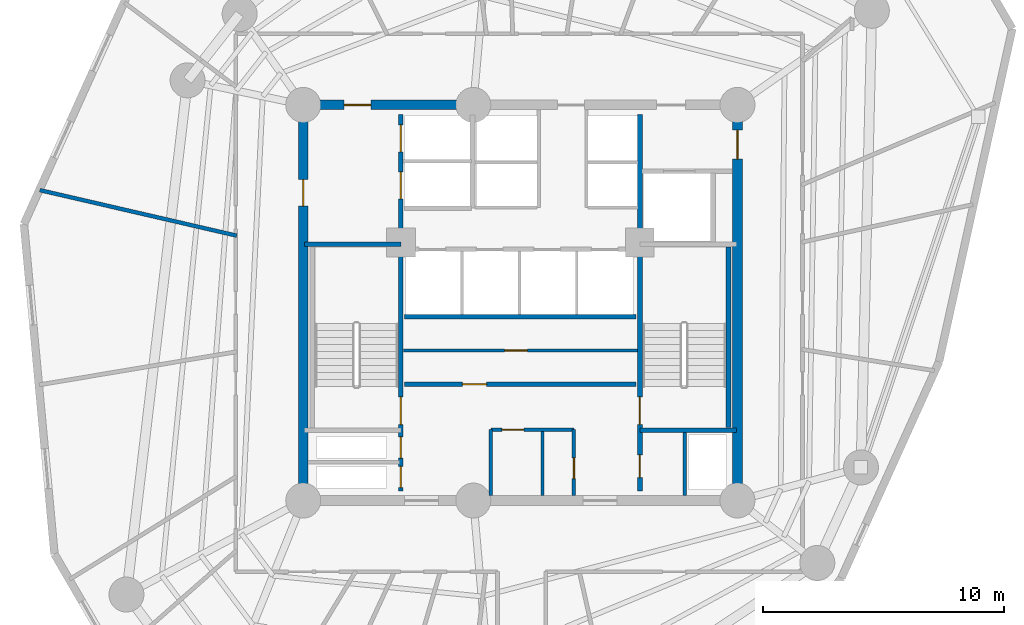
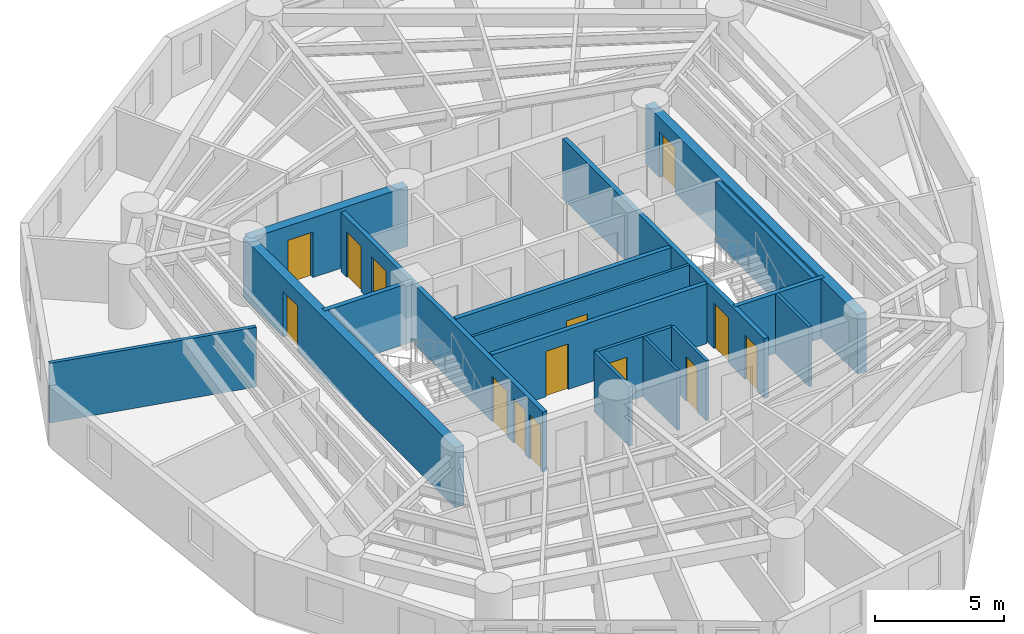
# One storey, part 4 of 8: 17 walls, 14 doors, 14 openings.
"""IFC4 building model written with IfcOpenShell, lengths in metres."""

from ifc_helpers import new_model, si_unit, direction, frame, frame_2d, origin, origin_with_axes, place, context, subcontext, project, spatial, rectangle, extrude, source, transform, mapped, material, layer, layer_set, type_object, element, fill, save


model = new_model("IFC4")

# Units and contexts
model_context = context("Model", 3, precision=1e-05, world=origin(), true_north=direction((0.0, 1.0)))
body_context = subcontext(model_context, "Body", "Model", "MODEL_VIEW")
ifc_project = project(units=[si_unit("LENGTHUNIT", "METRE"), si_unit("AREAUNIT", "SQUARE_METRE"), si_unit("VOLUMEUNIT", "CUBIC_METRE"), si_unit("PLANEANGLEUNIT", "RADIAN"), si_unit("MASSUNIT", "GRAM", prefix="KILO")], contexts=[model_context])

# Site, building, storey
site_placement = place(None, origin())
site = spatial("IfcSite", under=ifc_project, at=site_placement, CompositionType="ELEMENT")
building_placement = place(site_placement, origin())
building = spatial("IfcBuilding", under=site, at=building_placement, Name="Karkom Vertical University and Central Library", CompositionType="ELEMENT")
storey_placement = place(building_placement, frame((0.0, 0.0, 126.699951171875)))
storey = spatial("IfcBuildingStorey", under=building, at=storey_placement, Name="L35", CompositionType="ELEMENT", Elevation=126.699951171875)

# Walls
ifc_material_1 = material(Name="Insulated metal-stud drywall 160mm", Category="gypsum")
ifc_layer_1 = layer(ifc_material_1, 0.159912109375)
ifc_layer_set_1 = layer_set([ifc_layer_1], Name="Insulated metal-stud drywall 160mm")
wall_type_1 = type_object("IfcWallType", Name="INT-WL-COR-160", PredefinedType="PARTITIONING", material=ifc_layer_set_1)
wall_1_placement = place(storey_placement, frame((16.743896484375, 29.27978515625, 0.0), z_axis=(0.0, 0.0, 1.0), x_axis=(-0.974294823212, 0.225276713094, 0.0)))
element("IfcWall", 1, at=wall_1_placement, inside=storey, type_object=wall_type_1, Name="Level 35 Interior Partition Wall L35-PW-025", PredefinedType="PARTITIONING", context=body_context, shape_type="SweptSolid", body=[
    extrude(rectangle(XDim=8.376220703125, YDim=0.159912109375, at=frame_2d((4.18798828125, 0.0))), origin(), (0.0, 0.0, 1.0), 2.824951171875),
])
ifc_material_2 = material(Name="Moisture-resistant drywall 120mm", Category="gypsum")
ifc_layer_2 = layer(ifc_material_2, 0.1201171875)
ifc_layer_set_2 = layer_set([ifc_layer_2], Name="Moisture-resistant drywall 120mm")
wall_type_2 = type_object("IfcWallType", Name="INT-WL-INT-120", PredefinedType="PARTITIONING", material=ifc_layer_set_2)
wall_2_placement = place(storey_placement, frame((29.419921875, 18.507080078125, 0.0), z_axis=(0.0, 0.0, 1.0), x_axis=(0.0, 1.0, 0.0)))
element("IfcWall", 2, at=wall_2_placement, inside=storey, type_object=wall_type_2, Name="Level 35 Interior Partition Wall L35-CW-K3-DIV", PredefinedType="PARTITIONING", context=body_context, shape_type="SweptSolid", body=[
    extrude(rectangle(XDim=2.66162109375, YDim=0.1201171875, at=frame_2d((1.330810546875, 0.0))), origin(), (0.0, 0.0, 1.0), 2.824951171875),
])

# Wall, opening, door
ifc_layer_3 = layer(ifc_material_2, 0.1201171875)
ifc_layer_set_3 = layer_set([ifc_layer_3], Name="Moisture-resistant drywall 120mm")
wall_type_3 = type_object("IfcWallType", Name="INT-WL-INT-120F", PredefinedType="PARTITIONING", material=ifc_layer_set_3)
wall_3_placement = place(storey_placement, frame((23.652099609375, 24.52001953125, 0.0), z_axis=(0.0, 0.0, 1.0), x_axis=(1.0, 0.0, 0.0)))
wall_3 = element("IfcWall", 3, at=wall_3_placement, inside=storey, type_object=wall_type_3, Name="Level 35 Interior Partition Wall L35-CW-B1-K3H", PredefinedType="PARTITIONING", context=body_context, shape_type="SweptSolid", body=[
    extrude(rectangle(XDim=9.697509765625, YDim=0.1201171875, at=frame_2d((4.8486328125, 0.0))), origin(), (0.0, 0.0, 1.0), 2.824951171875),
])
opening_1_placement = place(wall_3_placement, frame((4.199951171875, 0.0, 0.0)))
opening_1 = element("IfcOpeningElement", 4, at=opening_1_placement, cuts=wall_3, Name="Opening D-WC1", PredefinedType="OPENING", context=body_context, shape_type="SweptSolid", body=[
    extrude(rectangle(XDim=0.93994140625, YDim=2.10009765625, at=frame_2d((0.469970703125, 1.050048828125))), frame((0.0, 0.070068359375, 0.0), z_axis=(0.0, -1.0, 0.0), x_axis=(1.0, 0.0, 0.0)), (0.0, 0.0, 1.0), 0.14013671875),
])
ifc_material_3 = material(Name="Fire-rated laminate moisture-resistant door", Category="wood")
door_type_1 = type_object("IfcDoorType", Name="INT-DR-WC1", OperationType="NOTDEFINED", PredefinedType="DOOR", material=ifc_material_3)
shared_shape_1 = source(origin_with_axes(), body_context, "Body", "SweptSolid", [
    extrude(rectangle(XDim=0.93994140625, YDim=2.10009765625, at=frame_2d((0.469970703125, 1.050048828125))), frame((0.0, 0.02490234375, 0.0), z_axis=(0.0, -1.0, 0.0), x_axis=(1.0, 0.0, 0.0)), (0.0, 0.0, 1.0), 0.050048828125),
])
door_1_placement = place(opening_1_placement, origin())
door_1 = element("IfcDoor", 5, at=door_1_placement, inside=storey, type_object=door_type_1, Name="Level 35 B1 Core WC Strip Door", OperationType="SINGLE_SWING_LEFT", OverallHeight=2.10009765625, OverallWidth=0.93994140625, PredefinedType="DOOR", context=body_context, shape_type="MappedRepresentation", body=[
    mapped(shared_shape_1, transform((0.0, 0.0, 0.0), scale=1.0)),
])
fill(opening_1, door_1)

ifc_material_4 = material(Name="Metal-stud gypsum partition 140mm", Category="gypsum")
ifc_layer_4 = layer(ifc_material_4, 0.139892578125)
ifc_layer_set_4 = layer_set([ifc_layer_4], Name="Metal-stud gypsum partition 140mm")
wall_type_4 = type_object("IfcWallType", Name="INT-WL-SUB-140", PredefinedType="PARTITIONING", material=ifc_layer_set_4)
wall_4_placement = place(storey_placement, frame((27.280029296875, 21.239990234375, 0.0), z_axis=(0.0, 0.0, 1.0), x_axis=(1.0, 0.0, 0.0)))
wall_4 = element("IfcWall", 6, at=wall_4_placement, inside=storey, type_object=wall_type_4, Name="Level 35 Interior Partition Wall L35-CW-KBAY-N", PredefinedType="PARTITIONING", context=body_context, shape_type="SweptSolid", body=[
    extrude(rectangle(XDim=3.43994140625, YDim=0.139892578125, at=frame_2d((1.719970703125, 0.0))), origin(), (0.0, 0.0, 1.0), 2.824951171875),
])
opening_2_placement = place(wall_4_placement, frame((0.449951171875, 0.0, 0.0)))
opening_2 = element("IfcOpeningElement", 7, at=opening_2_placement, cuts=wall_4, Name="Opening D-SVC1", PredefinedType="OPENING", context=body_context, shape_type="SweptSolid", body=[
    extrude(rectangle(XDim=0.919921875, YDim=2.10009765625, at=frame_2d((0.4599609375, 1.050048828125))), frame((0.0, 0.080078125, 0.0), z_axis=(0.0, -1.0, 0.0), x_axis=(1.0, 0.0, 0.0)), (0.0, 0.0, 1.0), 0.159912109375),
])
ifc_material_5 = material(Name="Painted timber service door", Category="wood")
door_type_2 = type_object("IfcDoorType", Name="INT-DR-SVC1", OperationType="NOTDEFINED", PredefinedType="DOOR", material=ifc_material_5)
shared_shape_2 = source(origin_with_axes(), body_context, "Body", "SweptSolid", [
    extrude(rectangle(XDim=0.919921875, YDim=2.10009765625, at=frame_2d((0.4599609375, 1.050048828125))), frame((0.0, 0.02490234375, 0.0), z_axis=(0.0, -1.0, 0.0), x_axis=(1.0, 0.0, 0.0)), (0.0, 0.0, 1.0), 0.050048828125),
])
door_2_placement = place(opening_2_placement, origin())
door_2 = element("IfcDoor", 8, at=door_2_placement, inside=storey, type_object=door_type_2, Name="Level 35 Copy Room Door", OperationType="SINGLE_SWING_RIGHT", OverallHeight=2.10009765625, OverallWidth=0.919921875, PredefinedType="DOOR", context=body_context, shape_type="MappedRepresentation", body=[
    mapped(shared_shape_2, transform((0.0, 0.0, 0.0), scale=1.0)),
])
fill(opening_2, door_2)

# Wall
wall_5_placement = place(storey_placement, frame((27.280029296875, 18.507080078125, 0.0), z_axis=(0.0, 0.0, 1.0), x_axis=(0.0, 1.0, 0.0)))
element("IfcWall", 9, at=wall_5_placement, inside=storey, type_object=wall_type_4, Name="Level 35 Interior Partition Wall L35-CW-KBAY-W", PredefinedType="PARTITIONING", context=body_context, shape_type="SweptSolid", body=[
    extrude(rectangle(XDim=2.73291015625, YDim=0.139892578125, at=frame_2d((1.366455078125, 0.0))), origin(), (0.0, 0.0, 1.0), 2.824951171875),
])

# Wall, opening, door
wall_6_placement = place(storey_placement, frame((30.719970703125, 18.507080078125, 0.0), z_axis=(0.0, 0.0, 1.0), x_axis=(0.0, 1.0, 0.0)))
wall_6 = element("IfcWall", 10, at=wall_6_placement, inside=storey, type_object=wall_type_4, Name="Level 35 Interior Partition Wall L35-CW-KBAY-E", PredefinedType="PARTITIONING", context=body_context, shape_type="SweptSolid", body=[
    extrude(rectangle(XDim=2.73291015625, YDim=0.139892578125, at=frame_2d((1.366455078125, 0.0))), origin(), (0.0, 0.0, 1.0), 2.824951171875),
])
opening_3_placement = place(wall_6_placement, frame((0.699951171875, 0.0, 0.0)))
opening_3 = element("IfcOpeningElement", 11, at=opening_3_placement, cuts=wall_6, Name="Opening D-BATH", PredefinedType="OPENING", context=body_context, shape_type="SweptSolid", body=[
    extrude(rectangle(XDim=0.860107421875, YDim=2.10009765625, at=frame_2d((0.43017578125, 1.050048828125))), frame((0.0, 0.080078125, 0.0), z_axis=(0.0, -1.0, 0.0), x_axis=(1.0, 0.0, 0.0)), (0.0, 0.0, 1.0), 0.159912109375),
])
ifc_material_6 = material(Name="Moisture-resistant oak door", Category="wood")
door_type_3 = type_object("IfcDoorType", Name="INT-DR-BATH", OperationType="NOTDEFINED", PredefinedType="DOOR", material=ifc_material_6)
shared_shape_3 = source(origin_with_axes(), body_context, "Body", "SweptSolid", [
    extrude(rectangle(XDim=0.860107421875, YDim=2.10009765625, at=frame_2d((0.43017578125, 1.050048828125))), frame((0.0, 0.02490234375, 0.0), z_axis=(0.0, -1.0, 0.0), x_axis=(1.0, 0.0, 0.0)), (0.0, 0.0, 1.0), 0.050048828125),
])
door_3_placement = place(opening_3_placement, origin())
door_3 = element("IfcDoor", 12, at=door_3_placement, inside=storey, type_object=door_type_3, Name="Level 35 Janitor Door", OperationType="SINGLE_SWING_LEFT", OverallHeight=2.10009765625, OverallWidth=0.860107421875, PredefinedType="DOOR", context=body_context, shape_type="MappedRepresentation", body=[
    mapped(shared_shape_3, transform((0.0, 0.0, 0.0), scale=1.0)),
])
fill(opening_3, door_3)

# Wall
ifc_layer_5 = layer(ifc_material_4, 0.139892578125)
ifc_layer_set_5 = layer_set([ifc_layer_5], Name="Metal-stud gypsum partition 140mm")
wall_type_5 = type_object("IfcWallType", Name="INT-WL-SUB-140H", PredefinedType="PARTITIONING", material=ifc_layer_set_5)
wall_7_placement = place(storey_placement, frame((35.320068359375, 18.507080078125, 0.0), z_axis=(0.0, 0.0, 1.0), x_axis=(0.0, 1.0, 0.0)))
element("IfcWall", 13, at=wall_7_placement, inside=storey, type_object=wall_type_5, Name="Level 35 Interior Partition Wall L35-CW-RIS-E", PredefinedType="PARTITIONING", context=body_context, shape_type="SweptSolid", body=[
    extrude(rectangle(XDim=2.603759765625, YDim=0.139892578125, at=frame_2d((1.3017578125, 0.0))), origin(), (0.0, 0.0, 1.0), 2.824951171875),
])

# Wall, opening, door
ifc_material_7 = material(Name="Concrete C50/60", Category="concrete")
ifc_layer_6 = layer(ifc_material_7, 0.39990234375)
ifc_layer_set_6 = layer_set([ifc_layer_6], Name="Concrete C50/60")
wall_type_6 = type_object("IfcWallType", Name="STR-WL-CW-400", PredefinedType="SHEAR", material=ifc_layer_set_6)
wall_8_placement = place(storey_placement, frame((37.5, 18.300048828125, 0.0), z_axis=(0.0, 0.0, 1.0), x_axis=(0.0, 1.0, 0.0)))
wall_8 = element("IfcWall", 14, at=wall_8_placement, inside=storey, type_object=wall_type_6, Name="Level 35 Central Core Shear Wall EW", PredefinedType="SHEAR", context=body_context, shape_type="SweptSolid", body=[
    extrude(rectangle(XDim=16.39990234375, YDim=0.39990234375, at=frame_2d((8.199951171875, 0.0))), origin(), (0.0, 0.0, 1.0), 2.824951171875),
])
opening_4_placement = place(wall_8_placement, frame((14.14990234375, 0.0, 0.0)))
opening_4 = element("IfcOpeningElement", 15, at=opening_4_placement, cuts=wall_8, Name="Opening FD-SUB1", PredefinedType="OPENING", context=body_context, shape_type="SweptSolid", body=[
    extrude(rectangle(XDim=1.199951171875, YDim=2.14990234375, at=frame_2d((0.60009765625, 1.074951171875))), frame((0.0, 0.2099609375, 0.0), z_axis=(0.0, -1.0, 0.0), x_axis=(1.0, 0.0, 0.0)), (0.0, 0.0, 1.0), 0.419921875),
])
ifc_material_8 = material(Name="Painted steel fire door", Category="steel")
door_type_4 = type_object("IfcDoorType", Name="INT-DR-SUB1", OperationType="NOTDEFINED", PredefinedType="DOOR", material=ifc_material_8)
shared_shape_4 = source(origin_with_axes(), body_context, "Body", "SweptSolid", [
    extrude(rectangle(XDim=1.199951171875, YDim=2.14990234375, at=frame_2d((0.60009765625, 1.074951171875))), frame((0.0, 0.02490234375, 0.0), z_axis=(0.0, -1.0, 0.0), x_axis=(1.0, 0.0, 0.0)), (0.0, 0.0, 1.0), 0.050048828125),
])
door_4_placement = place(opening_4_placement, origin())
door_4 = element("IfcDoor", 16, at=door_4_placement, inside=storey, type_object=door_type_4, Name="Level 35 East Corridor Service Lobby Door", OperationType="SINGLE_SWING_LEFT", OverallHeight=2.14990234375, OverallWidth=1.199951171875, PredefinedType="DOOR", context=body_context, shape_type="MappedRepresentation", body=[
    mapped(shared_shape_4, transform((0.0, 0.0, 0.0), scale=1.0)),
])
fill(opening_4, door_4)

wall_9_placement = place(storey_placement, frame((26.550048828125, 34.699951171875, 0.0), z_axis=(0.0, 0.0, 1.0), x_axis=(-1.0, 0.0, 0.0)))
wall_9 = element("IfcWall", 17, at=wall_9_placement, inside=storey, type_object=wall_type_6, Name="Level 35 Central Core Shear Wall NW2", PredefinedType="SHEAR", context=body_context, shape_type="SweptSolid", body=[
    extrude(rectangle(XDim=7.050048828125, YDim=0.39990234375, at=frame_2d((3.52490234375, 0.0))), origin(), (0.0, 0.0, 1.0), 2.824951171875),
])
opening_5_placement = place(wall_9_placement, frame((4.25, 0.0, 0.0)))
opening_5 = element("IfcOpeningElement", 18, at=opening_5_placement, cuts=wall_9, Name="Opening FD-FFL", PredefinedType="OPENING", context=body_context, shape_type="SweptSolid", body=[
    extrude(rectangle(XDim=1.10009765625, YDim=2.14990234375, at=frame_2d((0.550048828125, 1.074951171875))), frame((0.0, 0.2099609375, 0.0), z_axis=(0.0, -1.0, 0.0), x_axis=(1.0, 0.0, 0.0)), (0.0, 0.0, 1.0), 0.419921875),
])
ifc_material_9 = material(Name="Painted steel smoke-seal fire door", Category="steel")
door_type_5 = type_object("IfcDoorType", Name="INT-DR-FFL", OperationType="NOTDEFINED", PredefinedType="DOOR", material=ifc_material_9)
shared_shape_5 = source(origin_with_axes(), body_context, "Body", "SweptSolid", [
    extrude(rectangle(XDim=1.10009765625, YDim=2.14990234375, at=frame_2d((0.550048828125, 1.074951171875))), frame((0.0, 0.02490234375, 0.0), z_axis=(0.0, -1.0, 0.0), x_axis=(1.0, 0.0, 0.0)), (0.0, 0.0, 1.0), 0.050048828125),
])
door_5_placement = place(opening_5_placement, origin())
door_5 = element("IfcDoor", 19, at=door_5_placement, inside=storey, type_object=door_type_5, Name="Level 35 Firefighting Lobby Door", OperationType="SINGLE_SWING_LEFT", OverallHeight=2.14990234375, OverallWidth=1.10009765625, PredefinedType="DOOR", context=body_context, shape_type="MappedRepresentation", body=[
    mapped(shared_shape_5, transform((0.0, 0.0, 0.0), scale=1.0)),
])
fill(opening_5, door_5)

wall_10_placement = place(storey_placement, frame((19.5, 34.699951171875, 0.0), z_axis=(0.0, 0.0, 1.0), x_axis=(0.0, -1.0, 0.0)))
wall_10 = element("IfcWall", 20, at=wall_10_placement, inside=storey, type_object=wall_type_6, Name="Level 35 Central Core Shear Wall WW", PredefinedType="SHEAR", context=body_context, shape_type="SweptSolid", body=[
    extrude(rectangle(XDim=16.39990234375, YDim=0.39990234375, at=frame_2d((8.199951171875, 0.0))), origin(), (0.0, 0.0, 1.0), 2.824951171875),
])
opening_6_placement = place(wall_10_placement, frame((3.10009765625, 0.0, 0.0)))
opening_6 = element("IfcOpeningElement", 21, at=opening_6_placement, cuts=wall_10, Name="Opening FD-FFL", PredefinedType="OPENING", context=body_context, shape_type="SweptSolid", body=[
    extrude(rectangle(XDim=1.10009765625, YDim=2.14990234375, at=frame_2d((0.550048828125, 1.074951171875))), frame((0.0, 0.2099609375, 0.0), z_axis=(0.0, -1.0, 0.0), x_axis=(1.0, 0.0, 0.0)), (0.0, 0.0, 1.0), 0.419921875),
])
door_6_placement = place(opening_6_placement, origin())
door_6 = element("IfcDoor", 22, at=door_6_placement, inside=storey, type_object=door_type_5, Name="Level 35 West Corridor Firefighting Lobby Door", OperationType="SINGLE_SWING_RIGHT", OverallHeight=2.14990234375, OverallWidth=1.10009765625, PredefinedType="DOOR", context=body_context, shape_type="MappedRepresentation", body=[
    mapped(shared_shape_5, transform((0.0, 0.0, 0.0), scale=1.0)),
])
fill(opening_6, door_6)

# Wall, openings, doors
ifc_material_10 = material(Name="Concrete C45/55", Category="concrete")
ifc_layer_7 = layer(ifc_material_10, 0.199951171875)
ifc_layer_set_7 = layer_set([ifc_layer_7], Name="Concrete C45/55")
wall_type_7 = type_object("IfcWallType", Name="STR-WL-ST-200", PredefinedType="SHEAR", material=ifc_layer_set_7)
wall_11_placement = place(storey_placement, frame((23.544921875, 18.699951171875, 0.0), z_axis=(0.0, 0.0, 1.0), x_axis=(0.0, 1.0, 0.0)))
wall_11 = element("IfcWall", 23, at=wall_11_placement, inside=storey, type_object=wall_type_7, Name="Level 35 Core Shaft Wall L35-CW-ST1-E", PredefinedType="SHEAR", context=body_context, shape_type="SweptSolid", body=[
    extrude(rectangle(XDim=15.60009765625, YDim=0.199951171875, at=frame_2d((7.800048828125, 0.0))), origin(), (0.0, 0.0, 1.0), 2.824951171875),
])
opening_7_placement = place(wall_11_placement, frame((2.75, 0.0, 0.0)))
opening_7 = element("IfcOpeningElement", 24, at=opening_7_placement, cuts=wall_11, Name="Opening FD-ST1", PredefinedType="OPENING", context=body_context, shape_type="SweptSolid", body=[
    extrude(rectangle(XDim=1.14990234375, YDim=2.14990234375, at=frame_2d((0.574951171875, 1.074951171875))), frame((0.0, 0.10986328125, 0.0), z_axis=(0.0, -1.0, 0.0), x_axis=(1.0, 0.0, 0.0)), (0.0, 0.0, 1.0), 0.219970703125),
])
opening_8_placement = place(wall_11_placement, frame((0.139892578125, 0.0, 0.0)))
opening_8 = element("IfcOpeningElement", 25, at=opening_8_placement, cuts=wall_11, Name="Opening FD-RIS", PredefinedType="OPENING", context=body_context, shape_type="SweptSolid", body=[
    extrude(rectangle(XDim=0.8798828125, YDim=2.10009765625, at=frame_2d((0.43994140625, 1.050048828125))), frame((0.0, 0.10986328125, 0.0), z_axis=(0.0, -1.0, 0.0), x_axis=(1.0, 0.0, 0.0)), (0.0, 0.0, 1.0), 0.219970703125),
])
opening_9_placement = place(wall_11_placement, frame((1.360107421875, 0.0, 0.0)))
opening_9 = element("IfcOpeningElement", 26, at=opening_9_placement, cuts=wall_11, Name="Opening FD-RIS", PredefinedType="OPENING", context=body_context, shape_type="SweptSolid", body=[
    extrude(rectangle(XDim=0.8798828125, YDim=2.10009765625, at=frame_2d((0.43994140625, 1.050048828125))), frame((0.0, 0.10986328125, 0.0), z_axis=(0.0, -1.0, 0.0), x_axis=(1.0, 0.0, 0.0)), (0.0, 0.0, 1.0), 0.219970703125),
])
opening_10_placement = place(wall_11_placement, frame((12.10009765625, 0.0, 0.0)))
opening_10 = element("IfcOpeningElement", 27, at=opening_10_placement, cuts=wall_11, Name="Opening LD-FFL", PredefinedType="OPENING", context=body_context, shape_type="SweptSolid", body=[
    extrude(rectangle(XDim=1.1201171875, YDim=2.14990234375, at=frame_2d((0.56005859375, 1.074951171875))), frame((0.0, 0.10986328125, 0.0), z_axis=(0.0, -1.0, 0.0), x_axis=(1.0, 0.0, 0.0)), (0.0, 0.0, 1.0), 0.219970703125),
])
opening_11_placement = place(wall_11_placement, frame((14.050048828125, 0.0, 0.0)))
opening_11 = element("IfcOpeningElement", 28, at=opening_11_placement, cuts=wall_11, Name="Opening LD-FFL", PredefinedType="OPENING", context=body_context, shape_type="SweptSolid", body=[
    extrude(rectangle(XDim=1.1201171875, YDim=2.14990234375, at=frame_2d((0.56005859375, 1.074951171875))), frame((0.0, 0.10986328125, 0.0), z_axis=(0.0, -1.0, 0.0), x_axis=(1.0, 0.0, 0.0)), (0.0, 0.0, 1.0), 0.219970703125),
])
ifc_material_11 = material(Name="Painted steel acoustic fire door", Category="steel")
door_type_6 = type_object("IfcDoorType", Name="INT-DR-ST1", OperationType="NOTDEFINED", PredefinedType="DOOR", material=ifc_material_11)
shared_shape_6 = source(origin_with_axes(), body_context, "Body", "SweptSolid", [
    extrude(rectangle(XDim=1.14990234375, YDim=2.14990234375, at=frame_2d((0.574951171875, 1.074951171875))), frame((0.0, 0.02490234375, 0.0), z_axis=(0.0, -1.0, 0.0), x_axis=(1.0, 0.0, 0.0)), (0.0, 0.0, 1.0), 0.050048828125),
])
door_7_placement = place(opening_7_placement, origin())
door_7 = element("IfcDoor", 29, at=door_7_placement, inside=storey, type_object=door_type_6, Name="Level 35 Stair ST-1 Fire Door", OperationType="SINGLE_SWING_LEFT", OverallHeight=2.14990234375, OverallWidth=1.14990234375, PredefinedType="DOOR", context=body_context, shape_type="MappedRepresentation", body=[
    mapped(shared_shape_6, transform((0.0, 0.0, 0.0), scale=1.0)),
])
fill(opening_7, door_7)
ifc_material_12 = material(Name="Painted steel riser access door", Category="steel")
door_type_7 = type_object("IfcDoorType", Name="INT-DR-RIS", OperationType="NOTDEFINED", PredefinedType="DOOR", material=ifc_material_12)
shared_shape_7 = source(origin_with_axes(), body_context, "Body", "SweptSolid", [
    extrude(rectangle(XDim=0.8798828125, YDim=2.10009765625, at=frame_2d((0.43994140625, 1.050048828125))), frame((0.0, 0.02490234375, 0.0), z_axis=(0.0, -1.0, 0.0), x_axis=(1.0, 0.0, 0.0)), (0.0, 0.0, 1.0), 0.050048828125),
])
door_8_placement = place(opening_8_placement, origin())
door_8 = element("IfcDoor", 30, at=door_8_placement, inside=storey, type_object=door_type_7, Name="Level 35 Electrical Riser Access Door", OperationType="SINGLE_SWING_LEFT", OverallHeight=2.10009765625, OverallWidth=0.8798828125, PredefinedType="DOOR", context=body_context, shape_type="MappedRepresentation", body=[
    mapped(shared_shape_7, transform((0.0, 0.0, 0.0), scale=1.0)),
])
fill(opening_8, door_8)
door_9_placement = place(opening_9_placement, origin())
door_9 = element("IfcDoor", 31, at=door_9_placement, inside=storey, type_object=door_type_7, Name="Level 35 Telecom Riser Access Door", OperationType="SINGLE_SWING_RIGHT", OverallHeight=2.10009765625, OverallWidth=0.8798828125, PredefinedType="DOOR", context=body_context, shape_type="MappedRepresentation", body=[
    mapped(shared_shape_7, transform((0.0, 0.0, 0.0), scale=1.0)),
])
fill(opening_9, door_9)
ifc_material_13 = material(Name="Fire-rated stainless-steel landing door", Category="steel")
door_type_8 = type_object("IfcDoorType", Name="INT-DR-LD-FFL", OperationType="SLIDING_TO_LEFT", PredefinedType="DOOR", material=ifc_material_13)
shared_shape_8 = source(origin_with_axes(), body_context, "Body", "SweptSolid", [
    extrude(rectangle(XDim=1.1201171875, YDim=2.14990234375, at=frame_2d((0.56005859375, 1.074951171875))), frame((0.0, 0.02490234375, 0.0), z_axis=(0.0, -1.0, 0.0), x_axis=(1.0, 0.0, 0.0)), (0.0, 0.0, 1.0), 0.050048828125),
])
door_10_placement = place(opening_10_placement, origin())
door_10 = element("IfcDoor", 32, at=door_10_placement, inside=storey, type_object=door_type_8, Name="Level 35 Firefighting Lift FFL-1 Landing Door", OperationType="SLIDING_TO_LEFT", OverallHeight=2.14990234375, OverallWidth=1.1201171875, PredefinedType="DOOR", context=body_context, shape_type="MappedRepresentation", body=[
    mapped(shared_shape_8, transform((0.0, 0.0, 0.0), scale=1.0)),
])
fill(opening_10, door_10)
door_11_placement = place(opening_11_placement, origin())
door_11 = element("IfcDoor", 33, at=door_11_placement, inside=storey, type_object=door_type_8, Name="Level 35 Firefighting Lift FFL-2 Landing Door", OperationType="SLIDING_TO_RIGHT", OverallHeight=2.14990234375, OverallWidth=1.1201171875, PredefinedType="DOOR", context=body_context, shape_type="MappedRepresentation", body=[
    mapped(shared_shape_8, transform((0.0, 0.0, 0.0), scale=1.0)),
])
fill(opening_11, door_11)

wall_12_placement = place(storey_placement, frame((33.455078125, 18.699951171875, 0.0), z_axis=(0.0, 0.0, 1.0), x_axis=(0.0, 1.0, 0.0)))
wall_12 = element("IfcWall", 34, at=wall_12_placement, inside=storey, type_object=wall_type_7, Name="Level 35 Core Shaft Wall L35-CW-ST2-W", PredefinedType="SHEAR", context=body_context, shape_type="SweptSolid", body=[
    extrude(rectangle(XDim=15.60009765625, YDim=0.199951171875, at=frame_2d((7.800048828125, 0.0))), origin(), (0.0, 0.0, 1.0), 2.824951171875),
])
opening_12_placement = place(wall_12_placement, frame((2.75, 0.0, 0.0)))
opening_12 = element("IfcOpeningElement", 35, at=opening_12_placement, cuts=wall_12, Name="Opening FD-ST1", PredefinedType="OPENING", context=body_context, shape_type="SweptSolid", body=[
    extrude(rectangle(XDim=1.14990234375, YDim=2.14990234375, at=frame_2d((0.574951171875, 1.074951171875))), frame((0.0, 0.10986328125, 0.0), z_axis=(0.0, -1.0, 0.0), x_axis=(1.0, 0.0, 0.0)), (0.0, 0.0, 1.0), 0.219970703125),
])
opening_13_placement = place(wall_12_placement, frame((0.550048828125, 0.0, 0.0)))
opening_13 = element("IfcOpeningElement", 36, at=opening_13_placement, cuts=wall_12, Name="Opening D-WC1", PredefinedType="OPENING", context=body_context, shape_type="SweptSolid", body=[
    extrude(rectangle(XDim=0.93994140625, YDim=2.10009765625, at=frame_2d((0.469970703125, 1.050048828125))), frame((0.0, 0.10986328125, 0.0), z_axis=(0.0, -1.0, 0.0), x_axis=(1.0, 0.0, 0.0)), (0.0, 0.0, 1.0), 0.219970703125),
])
door_12_placement = place(opening_12_placement, origin())
door_12 = element("IfcDoor", 37, at=door_12_placement, inside=storey, type_object=door_type_6, Name="Level 35 Stair ST-2 Fire Door", OperationType="SINGLE_SWING_RIGHT", OverallHeight=2.14990234375, OverallWidth=1.14990234375, PredefinedType="DOOR", context=body_context, shape_type="MappedRepresentation", body=[
    mapped(shared_shape_6, transform((0.0, 0.0, 0.0), scale=1.0)),
])
fill(opening_12, door_12)
door_13_placement = place(opening_13_placement, origin())
door_13 = element("IfcDoor", 38, at=door_13_placement, inside=storey, type_object=door_type_1, Name="Level 35 Accessible WC Door", OperationType="SINGLE_SWING_LEFT", OverallHeight=2.10009765625, OverallWidth=0.93994140625, PredefinedType="DOOR", context=body_context, shape_type="MappedRepresentation", body=[
    mapped(shared_shape_1, transform((0.0, 0.0, 0.0), scale=1.0)),
])
fill(opening_13, door_13)

# Wall, opening, door
wall_13_placement = place(storey_placement, frame((23.699951171875, 23.1201171875, 0.0), z_axis=(0.0, 0.0, 1.0), x_axis=(1.0, 0.0, 0.0)))
wall_13 = element("IfcWall", 39, at=wall_13_placement, inside=storey, type_object=wall_type_7, Name="Level 35 Core Shaft Wall L35-CW-B1-S", PredefinedType="SHEAR", context=body_context, shape_type="SweptSolid", body=[
    extrude(rectangle(XDim=9.60009765625, YDim=0.199951171875, at=frame_2d((4.800048828125, 0.0))), origin(), (0.0, 0.0, 1.0), 2.824951171875),
])
opening_14_placement = place(wall_13_placement, frame((2.39990234375, 0.0, 0.0)))
opening_14 = element("IfcOpeningElement", 40, at=opening_14_placement, cuts=wall_13, Name="Opening D-STR1", PredefinedType="OPENING", context=body_context, shape_type="SweptSolid", body=[
    extrude(rectangle(XDim=1.0, YDim=2.14990234375, at=frame_2d((0.5, 1.074951171875))), frame((0.0, 0.10986328125, 0.0), z_axis=(0.0, -1.0, 0.0), x_axis=(1.0, 0.0, 0.0)), (0.0, 0.0, 1.0), 0.219970703125),
])
ifc_material_14 = material(Name="Solid-core hardwood fire door", Category="wood")
door_type_9 = type_object("IfcDoorType", Name="INT-DR-STR1", OperationType="NOTDEFINED", PredefinedType="DOOR", material=ifc_material_14)
shared_shape_9 = source(origin_with_axes(), body_context, "Body", "SweptSolid", [
    extrude(rectangle(XDim=1.0, YDim=2.14990234375, at=frame_2d((0.5, 1.074951171875))), frame((0.0, 0.02490234375, 0.0), z_axis=(0.0, -1.0, 0.0), x_axis=(1.0, 0.0, 0.0)), (0.0, 0.0, 1.0), 0.050048828125),
])
door_14_placement = place(opening_14_placement, origin())
door_14 = element("IfcDoor", 41, at=door_14_placement, inside=storey, type_object=door_type_9, Name="Level 35 B1 Archive Strip Door", OperationType="SINGLE_SWING_RIGHT", OverallHeight=2.14990234375, OverallWidth=1.0, PredefinedType="DOOR", context=body_context, shape_type="MappedRepresentation", body=[
    mapped(shared_shape_9, transform((0.0, 0.0, 0.0), scale=1.0)),
])
fill(opening_14, door_14)

# Walls
wall_14_placement = place(storey_placement, frame((23.699951171875, 25.919921875, 0.0), z_axis=(0.0, 0.0, 1.0), x_axis=(1.0, 0.0, 0.0)))
element("IfcWall", 42, at=wall_14_placement, inside=storey, type_object=wall_type_7, Name="Level 35 Core Shaft Wall L35-CW-B1-N", PredefinedType="SHEAR", context=body_context, shape_type="SweptSolid", body=[
    extrude(rectangle(XDim=9.60009765625, YDim=0.199951171875, at=frame_2d((4.800048828125, 0.0))), origin(), (0.0, 0.0, 1.0), 2.824951171875),
])
wall_15_placement = place(storey_placement, frame((37.125, 21.320068359375, 0.0), z_axis=(0.0, 0.0, 1.0), x_axis=(0.0, 1.0, 0.0)))
element("IfcWall", 43, at=wall_15_placement, inside=storey, type_object=wall_type_7, Name="Level 35 Core Shaft Wall L35-CW-ST2-E", PredefinedType="SHEAR", context=body_context, shape_type="SweptSolid", body=[
    extrude(rectangle(XDim=7.5, YDim=0.199951171875, at=frame_2d((3.75, 0.0))), origin(), (0.0, 0.0, 1.0), 2.824951171875),
])
for number, where, z_axis, x_axis, name in (
    (44, (33.455078125, 21.215087890625, 0.0), (0.0, 0.0, 1.0), (1.0, 0.0, 0.0), "Level 35 Core Shaft Wall L35-CW-ST2-S"),
    (45, (19.550048828125, 28.925048828125, 0.0), (0.0, 0.0, 1.0), (1.0, 0.0, 0.0), "Level 35 Core Shaft Wall L35-CW-ST1-N"),
):
    element("IfcWall", number, at=place(storey_placement, frame(where, z_axis=z_axis, x_axis=x_axis)), inside=storey, type_object=wall_type_7, Name=name, PredefinedType="SHEAR", context=body_context, shape_type="SweptSolid", body=[
        extrude(rectangle(XDim=3.994873046875, YDim=0.199951171875, at=frame_2d((1.99755859375, 0.0))), origin(), (0.0, 0.0, 1.0), 2.824951171875),
    ])

save(model, "model.ifc")
